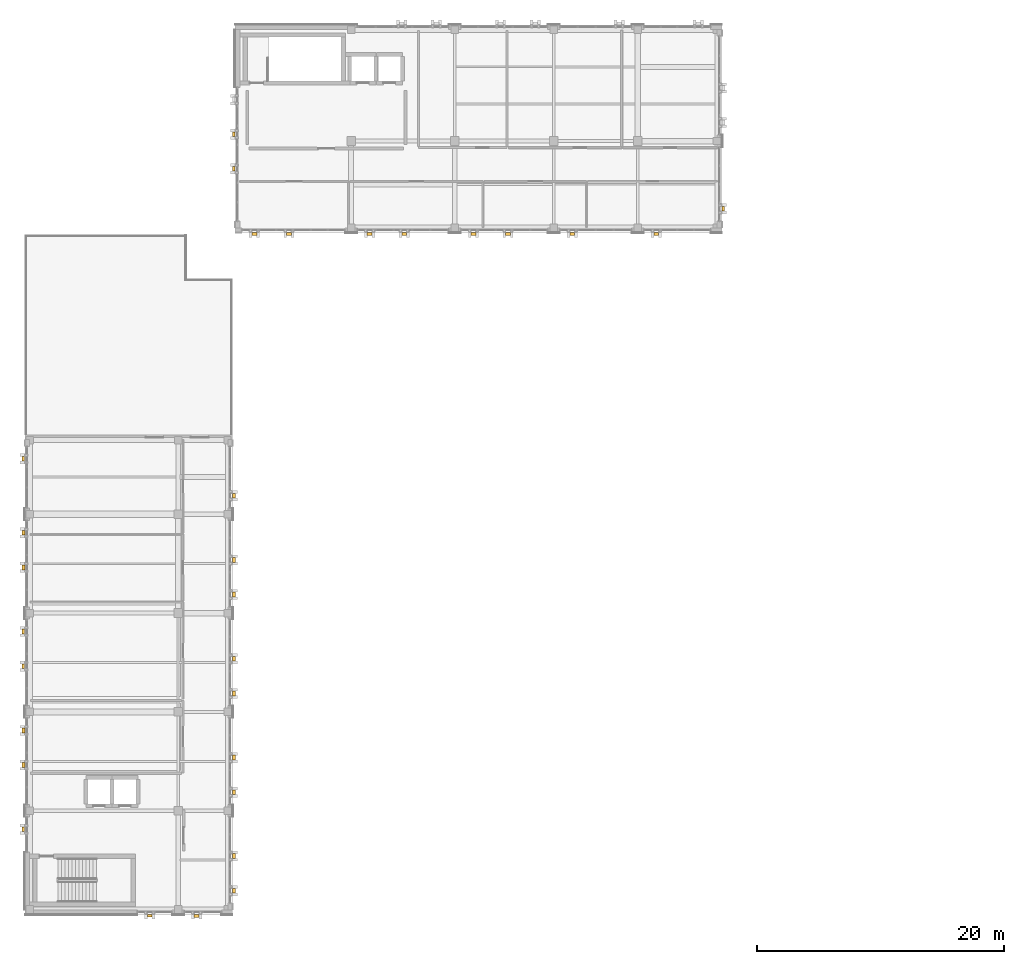
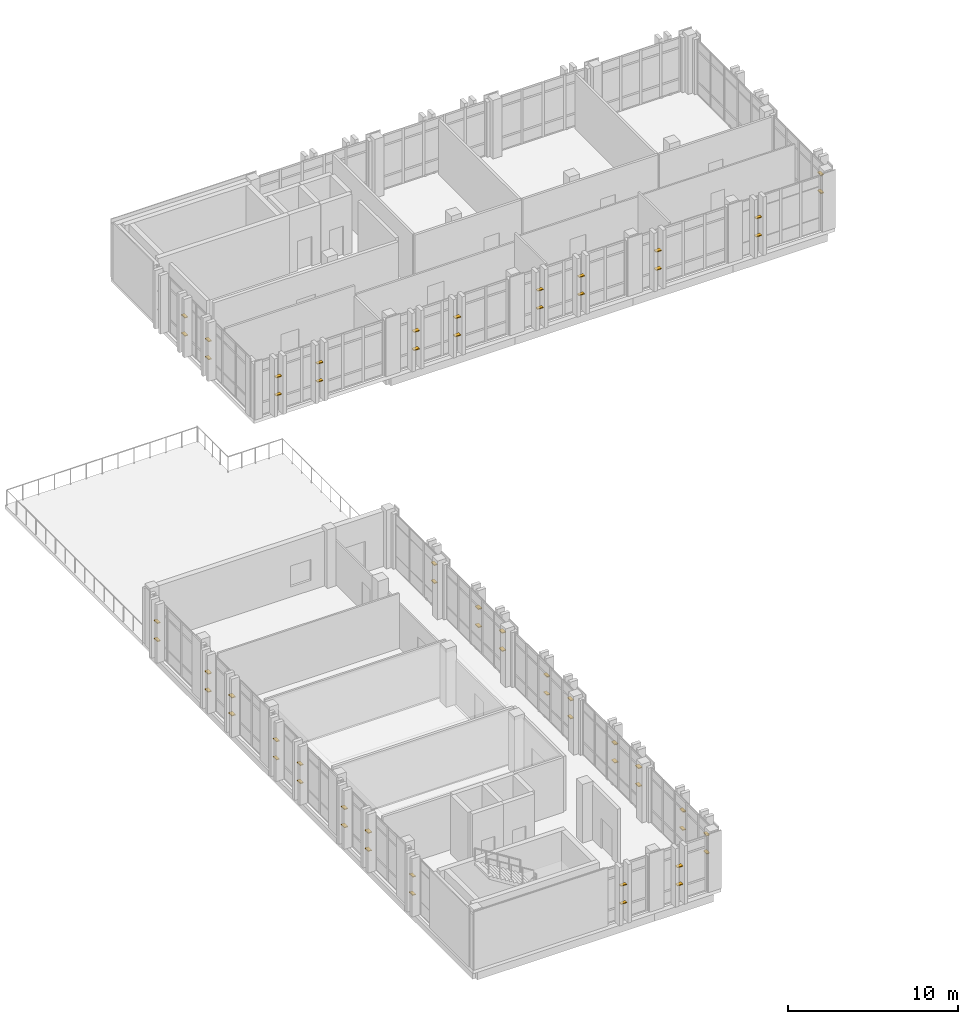
# One storey, part 75 of 77: 60 shading devices.
"""IFC4 building model written with IfcOpenShell, lengths in metres."""

from ifc_helpers import new_model, si_unit, direction, frame, origin, origin_2d, place, context, subcontext, project, spatial, rectangle, extrude, material, type_object, element, save


model = new_model("IFC4")

# Units and contexts
model_context = context("Model", 3, precision=1e-05, world=origin(), true_north=direction((0.0, 1.0)))
body_context = subcontext(model_context, "Body", "Model", "MODEL_VIEW")
ifc_project = project(units=[si_unit("LENGTHUNIT", "METRE"), si_unit("AREAUNIT", "SQUARE_METRE"), si_unit("VOLUMEUNIT", "CUBIC_METRE"), si_unit("PLANEANGLEUNIT", "RADIAN"), si_unit("MASSUNIT", "GRAM", prefix="KILO")], contexts=[model_context])

# Site, building, storey
site_placement = place(None, origin())
site = spatial("IfcSite", under=ifc_project, at=site_placement, CompositionType="ELEMENT")
building_placement = place(site_placement, origin())
building = spatial("IfcBuilding", under=site, at=building_placement, Name="Qalavern Law Courts", CompositionType="ELEMENT")
storey_placement = place(building_placement, frame((0.0, 0.0, 27.0)))
storey = spatial("IfcBuildingStorey", under=building, at=storey_placement, Name="L06", CompositionType="ELEMENT", Elevation=27.0)

# Shading devices
ifc_material = material(Name="Anodised aluminium", Category="aluminium")
shading_device_type_1 = type_object("IfcShadingDeviceType", Name="ENV-LOUV-1", PredefinedType="JALOUSIE", material=ifc_material)
for number, where, z_axis, x_axis, name in (
    (1, (12.10009765625, 40.89501953125, 1.34716796875), (0.0, 0.0, 1.0), (1.0, 0.0, 0.0), "Horizontal sun louvre V3-L06-0-1"),
    (2, (12.10009765625, 40.89501953125, 2.645751953125), (0.0, 0.0, 1.0), (1.0, 0.0, 0.0), "Horizontal sun louvre V3-L06-0-2"),
    (3, (18.925048828125, 42.93505859375, 1.34716796875), (0.0, 0.0, 1.0), (0.0, 1.0, 0.0), "Horizontal sun louvre V3-L06-0-1"),
    (4, (18.925048828125, 42.93505859375, 2.645751953125), (0.0, 0.0, 1.0), (0.0, 1.0, 0.0), "Horizontal sun louvre V3-L06-0-2"),
    (5, (18.925048828125, 45.735107421875, 1.34716796875), (0.0, 0.0, 1.0), (0.0, 1.0, 0.0), "Horizontal sun louvre V3-L06-1-1"),
    (6, (18.925048828125, 45.735107421875, 2.645751953125), (0.0, 0.0, 1.0), (0.0, 1.0, 0.0), "Horizontal sun louvre V3-L06-1-2"),
    (7, (18.925048828125, 58.89990234375, 1.34716796875), (0.0, 0.0, 1.0), (0.0, 1.0, 0.0), "Horizontal sun louvre V3-L06-0-1"),
    (8, (18.925048828125, 58.89990234375, 2.645751953125), (0.0, 0.0, 1.0), (0.0, 1.0, 0.0), "Horizontal sun louvre V3-L06-0-2"),
    (9, (18.925048828125, 61.699951171875, 1.34716796875), (0.0, 0.0, 1.0), (0.0, 1.0, 0.0), "Horizontal sun louvre V3-L06-1-1"),
    (10, (18.925048828125, 61.699951171875, 2.645751953125), (0.0, 0.0, 1.0), (0.0, 1.0, 0.0), "Horizontal sun louvre V3-L06-1-2"),
    (11, (18.925048828125, 74.89990234375, 1.34716796875), (0.0, 0.0, 1.0), (0.0, 1.0, 0.0), "Horizontal sun louvre V3-L06-0-1"),
    (12, (18.925048828125, 74.89990234375, 2.645751953125), (0.0, 0.0, 1.0), (0.0, 1.0, 0.0), "Horizontal sun louvre V3-L06-0-2"),
    (13, (1.875, 77.885009765625, 1.34716796875), (0.0, 0.0, 1.0), (0.0, -1.0, 0.0), "Horizontal sun louvre V3-L06-0-1"),
    (14, (1.875, 77.885009765625, 2.645751953125), (0.0, 0.0, 1.0), (0.0, -1.0, 0.0), "Horizontal sun louvre V3-L06-0-2"),
    (15, (1.875, 63.89990234375, 1.34716796875), (0.0, 0.0, 1.0), (0.0, -1.0, 0.0), "Horizontal sun louvre V3-L06-0-1"),
    (16, (1.875, 63.89990234375, 2.645751953125), (0.0, 0.0, 1.0), (0.0, -1.0, 0.0), "Horizontal sun louvre V3-L06-0-2"),
    (17, (1.875, 61.10009765625, 1.34716796875), (0.0, 0.0, 1.0), (0.0, -1.0, 0.0), "Horizontal sun louvre V3-L06-1-1"),
    (18, (1.875, 61.10009765625, 2.645751953125), (0.0, 0.0, 1.0), (0.0, -1.0, 0.0), "Horizontal sun louvre V3-L06-1-2"),
    (19, (1.875, 47.89990234375, 1.34716796875), (0.0, 0.0, 1.0), (0.0, -1.0, 0.0), "Horizontal sun louvre V3-L06-0-1"),
    (20, (1.875, 47.89990234375, 2.645751953125), (0.0, 0.0, 1.0), (0.0, -1.0, 0.0), "Horizontal sun louvre V3-L06-0-2"),
    (21, (20.570068359375, 96.074951171875, 1.34716796875), (0.0, 0.0, 1.0), (1.0, 0.0, 0.0), "Horizontal sun louvre V5-L06-0-1"),
    (22, (20.570068359375, 96.074951171875, 2.645751953125), (0.0, 0.0, 1.0), (1.0, 0.0, 0.0), "Horizontal sun louvre V5-L06-0-2"),
    (23, (23.3701171875, 96.074951171875, 1.34716796875), (0.0, 0.0, 1.0), (1.0, 0.0, 0.0), "Horizontal sun louvre V5-L06-1-1"),
    (24, (23.3701171875, 96.074951171875, 2.645751953125), (0.0, 0.0, 1.0), (1.0, 0.0, 0.0), "Horizontal sun louvre V5-L06-1-2"),
    (25, (38.300048828125, 96.074951171875, 1.34716796875), (0.0, 0.0, 1.0), (1.0, 0.0, 0.0), "Horizontal sun louvre V5-L06-0-1"),
    (26, (38.300048828125, 96.074951171875, 2.645751953125), (0.0, 0.0, 1.0), (1.0, 0.0, 0.0), "Horizontal sun louvre V5-L06-0-2"),
    (27, (41.10009765625, 96.074951171875, 1.34716796875), (0.0, 0.0, 1.0), (1.0, 0.0, 0.0), "Horizontal sun louvre V5-L06-1-1"),
    (28, (41.10009765625, 96.074951171875, 2.645751953125), (0.0, 0.0, 1.0), (1.0, 0.0, 0.0), "Horizontal sun louvre V5-L06-1-2"),
    (29, (53.10009765625, 96.074951171875, 1.34716796875), (0.0, 0.0, 1.0), (1.0, 0.0, 0.0), "Horizontal sun louvre V5-L06-0-1"),
    (30, (53.10009765625, 96.074951171875, 2.645751953125), (0.0, 0.0, 1.0), (1.0, 0.0, 0.0), "Horizontal sun louvre V5-L06-0-2"),
    (31, (58.52490234375, 98.114990234375, 1.34716796875), (0.0, 0.0, 1.0), (0.0, 1.0, 0.0), "Horizontal sun louvre V5-L06-0-1"),
    (32, (58.52490234375, 98.114990234375, 2.645751953125), (0.0, 0.0, 1.0), (0.0, 1.0, 0.0), "Horizontal sun louvre V5-L06-0-2"),
    (33, (18.89501953125, 104.14990234375, 1.34716796875), (0.0, 0.0, 1.0), (0.0, -1.0, 0.0), "Horizontal sun louvre V5-L06-1-1"),
    (34, (18.89501953125, 104.14990234375, 2.645751953125), (0.0, 0.0, 1.0), (0.0, -1.0, 0.0), "Horizontal sun louvre V5-L06-1-2"),
    (35, (18.89501953125, 101.35009765625, 1.34716796875), (0.0, 0.0, 1.0), (0.0, -1.0, 0.0), "Horizontal sun louvre V5-L06-2-1"),
    (36, (18.89501953125, 101.35009765625, 2.645751953125), (0.0, 0.0, 1.0), (0.0, -1.0, 0.0), "Horizontal sun louvre V5-L06-2-2"),
):
    element("IfcShadingDevice", number, at=place(storey_placement, frame(where, z_axis=z_axis, x_axis=x_axis)), inside=storey, type_object=shading_device_type_1, Name=name, PredefinedType="JALOUSIE", context=body_context, shape_type="SweptSolid", body=[
        extrude(rectangle(XDim=0.389892578125, YDim=0.2099609375, at=origin_2d()), origin(), (0.0, 0.0, 1.0), 0.06005859375),
    ])
shading_device_type_2 = type_object("IfcShadingDeviceType", Name="ENV-LOUV-2", PredefinedType="JALOUSIE", material=ifc_material)
for number, where, z_axis, x_axis, name in (
    (37, (15.89990234375, 40.89501953125, 1.34716796875), (0.0, 0.0, 1.0), (1.0, 0.0, 0.0), "Horizontal sun louvre V3-L06-0-1"),
    (38, (15.89990234375, 40.89501953125, 2.645751953125), (0.0, 0.0, 1.0), (1.0, 0.0, 0.0), "Horizontal sun louvre V3-L06-0-2"),
    (39, (18.925048828125, 50.89990234375, 1.34716796875), (0.0, 0.0, 1.0), (0.0, 1.0, 0.0), "Horizontal sun louvre V3-L06-0-1"),
    (40, (18.925048828125, 50.89990234375, 2.645751953125), (0.0, 0.0, 1.0), (0.0, 1.0, 0.0), "Horizontal sun louvre V3-L06-0-2"),
    (41, (18.925048828125, 53.699951171875, 1.34716796875), (0.0, 0.0, 1.0), (0.0, 1.0, 0.0), "Horizontal sun louvre V3-L06-1-1"),
    (42, (18.925048828125, 53.699951171875, 2.645751953125), (0.0, 0.0, 1.0), (0.0, 1.0, 0.0), "Horizontal sun louvre V3-L06-1-2"),
    (43, (18.925048828125, 66.89990234375, 1.34716796875), (0.0, 0.0, 1.0), (0.0, 1.0, 0.0), "Horizontal sun louvre V3-L06-0-1"),
    (44, (18.925048828125, 66.89990234375, 2.645751953125), (0.0, 0.0, 1.0), (0.0, 1.0, 0.0), "Horizontal sun louvre V3-L06-0-2"),
    (45, (18.925048828125, 69.699951171875, 1.34716796875), (0.0, 0.0, 1.0), (0.0, 1.0, 0.0), "Horizontal sun louvre V3-L06-1-1"),
    (46, (18.925048828125, 69.699951171875, 2.645751953125), (0.0, 0.0, 1.0), (0.0, 1.0, 0.0), "Horizontal sun louvre V3-L06-1-2"),
    (47, (1.875, 71.89990234375, 1.34716796875), (0.0, 0.0, 1.0), (0.0, -1.0, 0.0), "Horizontal sun louvre V3-L06-0-1"),
    (48, (1.875, 71.89990234375, 2.645751953125), (0.0, 0.0, 1.0), (0.0, -1.0, 0.0), "Horizontal sun louvre V3-L06-0-2"),
    (49, (1.875, 69.10009765625, 1.34716796875), (0.0, 0.0, 1.0), (0.0, -1.0, 0.0), "Horizontal sun louvre V3-L06-1-1"),
    (50, (1.875, 69.10009765625, 2.645751953125), (0.0, 0.0, 1.0), (0.0, -1.0, 0.0), "Horizontal sun louvre V3-L06-1-2"),
    (51, (1.875, 55.89990234375, 1.34716796875), (0.0, 0.0, 1.0), (0.0, -1.0, 0.0), "Horizontal sun louvre V3-L06-0-1"),
    (52, (1.875, 55.89990234375, 2.645751953125), (0.0, 0.0, 1.0), (0.0, -1.0, 0.0), "Horizontal sun louvre V3-L06-0-2"),
    (53, (1.875, 53.10009765625, 1.34716796875), (0.0, 0.0, 1.0), (0.0, -1.0, 0.0), "Horizontal sun louvre V3-L06-1-1"),
    (54, (1.875, 53.10009765625, 2.645751953125), (0.0, 0.0, 1.0), (0.0, -1.0, 0.0), "Horizontal sun louvre V3-L06-1-2"),
    (55, (29.89990234375, 96.074951171875, 1.34716796875), (0.0, 0.0, 1.0), (1.0, 0.0, 0.0), "Horizontal sun louvre V5-L06-0-1"),
    (56, (29.89990234375, 96.074951171875, 2.645751953125), (0.0, 0.0, 1.0), (1.0, 0.0, 0.0), "Horizontal sun louvre V5-L06-0-2"),
    (57, (32.699951171875, 96.074951171875, 1.34716796875), (0.0, 0.0, 1.0), (1.0, 0.0, 0.0), "Horizontal sun louvre V5-L06-1-1"),
    (58, (32.699951171875, 96.074951171875, 2.645751953125), (0.0, 0.0, 1.0), (1.0, 0.0, 0.0), "Horizontal sun louvre V5-L06-1-2"),
    (59, (46.300048828125, 96.074951171875, 1.34716796875), (0.0, 0.0, 1.0), (1.0, 0.0, 0.0), "Horizontal sun louvre V5-L06-0-1"),
    (60, (46.300048828125, 96.074951171875, 2.645751953125), (0.0, 0.0, 1.0), (1.0, 0.0, 0.0), "Horizontal sun louvre V5-L06-0-2"),
):
    element("IfcShadingDevice", number, at=place(storey_placement, frame(where, z_axis=z_axis, x_axis=x_axis)), inside=storey, type_object=shading_device_type_2, Name=name, PredefinedType="JALOUSIE", context=body_context, shape_type="SweptSolid", body=[
        extrude(rectangle(XDim=0.389892578125, YDim=0.25, at=origin_2d()), origin(), (0.0, 0.0, 1.0), 0.06005859375),
    ])

save(model, "model.ifc")
